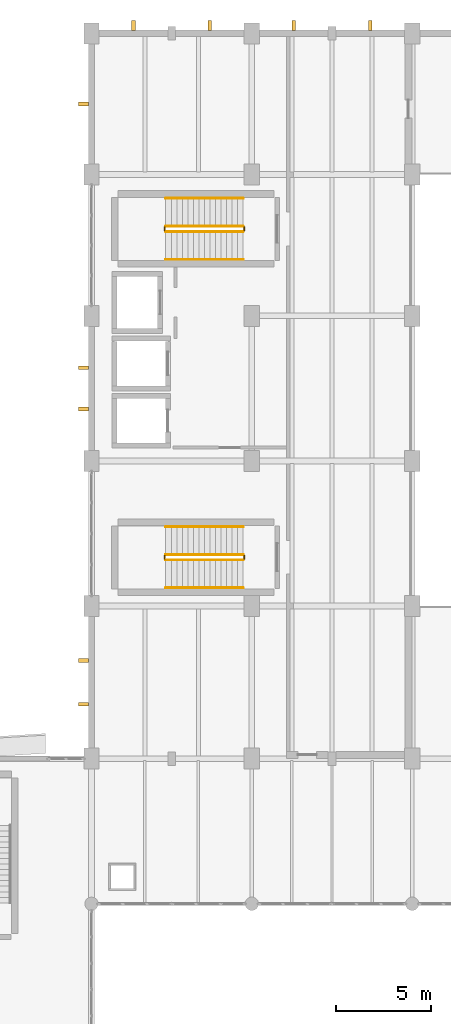
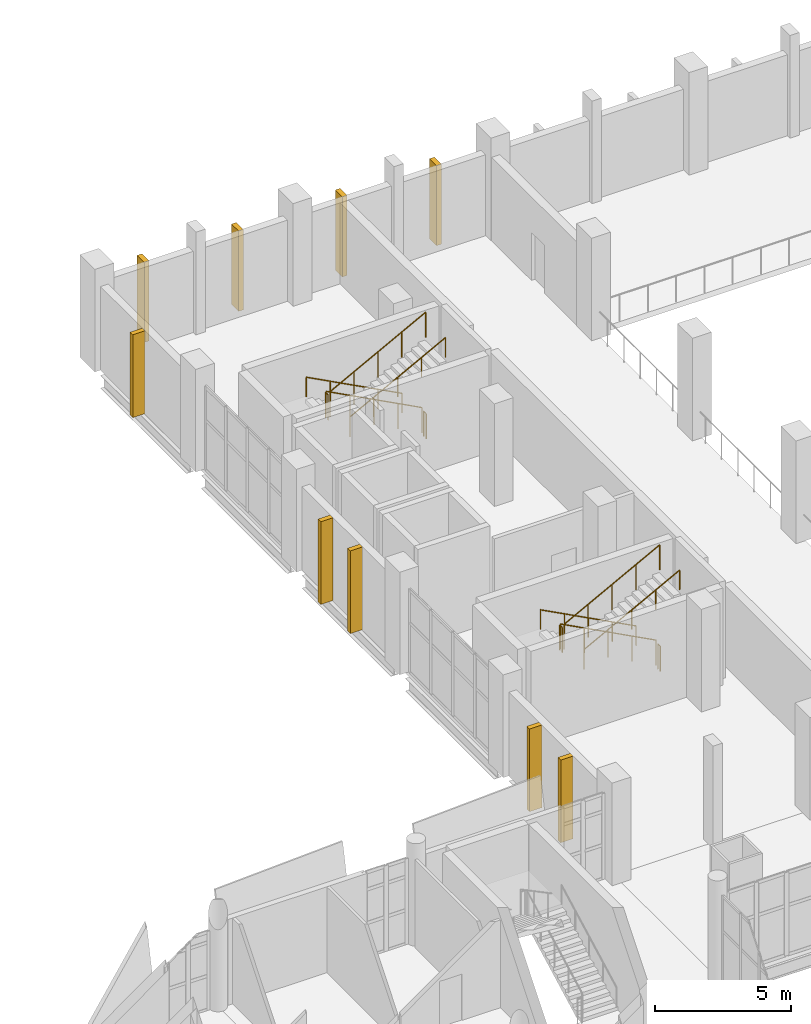
# One storey, part 129 of 136: 12 railings, 9 shading devices.
"""IFC4 building model written with IfcOpenShell, lengths in metres."""

from ifc_helpers import new_model, si_unit, direction, frame, origin, origin_2d, place, context, subcontext, project, spatial, rectangle, circle, extrude, material, layer, layer_set, type_object, element, save


model = new_model("IFC4")

# Units and contexts
model_context = context("Model", 3, precision=1e-05, world=origin(), true_north=direction((0.0, 1.0)))
body_context = subcontext(model_context, "Body", "Model", "MODEL_VIEW")
ifc_project = project(units=[si_unit("LENGTHUNIT", "METRE"), si_unit("AREAUNIT", "SQUARE_METRE"), si_unit("VOLUMEUNIT", "CUBIC_METRE"), si_unit("PLANEANGLEUNIT", "RADIAN"), si_unit("MASSUNIT", "GRAM", prefix="KILO")], contexts=[model_context])

# Site, building, storey
site_placement = place(None, origin())
site = spatial("IfcSite", under=ifc_project, at=site_placement, CompositionType="ELEMENT")
building_placement = place(site_placement, origin())
building = spatial("IfcBuilding", under=site, at=building_placement, Name="Shengluoqiao Park Theatre", CompositionType="ELEMENT")
storey_placement = place(building_placement, frame((0.0, 0.0, 10.0)))
storey = spatial("IfcBuildingStorey", under=building, at=storey_placement, Name="L02", CompositionType="ELEMENT", Elevation=10.0)

# Shading devices
ifc_material_1 = material(Name="Concrete C45", Category="concrete")
ifc_layer = layer(ifc_material_1, 0.199951171875, Name="Concrete C45")
ifc_layer_set = layer_set([ifc_layer], Name="Concrete C45")
shading_device_type = type_object("IfcShadingDeviceType", Name="ENV-FIN-520x200", PredefinedType="USERDEFINED", material=ifc_layer_set)
for number, where, z_axis, x_axis, name in (
    (1, (46.60009765625, 114.409912109375, 0.02001953125), (0.0, 0.0, 1.0), (0.0, 1.0, 0.0), "L02 Vertical Concrete Acoustic Rib 0030"),
    (2, (50.60009765625, 114.409912109375, 0.02001953125), (0.0, 0.0, 1.0), (0.0, 1.0, 0.0), "L02 Vertical Concrete Acoustic Rib 0031"),
):
    element("IfcShadingDevice", number, at=place(storey_placement, frame(where, z_axis=z_axis, x_axis=x_axis)), inside=storey, type_object=shading_device_type, Name=name, ObjectType="FIN", PredefinedType="USERDEFINED", context=body_context, shape_type="SweptSolid", body=[
        extrude(rectangle(XDim=0.52001953125, YDim=0.199951171875, at=origin_2d()), origin(), (0.0, 0.0, 1.0), 3.597900390625),
    ])
for number, where, z_axis, x_axis, name in (
    (3, (55.0, 114.409912109375, 0.02001953125), (0.0, 0.0, 1.0), (0.0, 1.0, 0.0), "L02 Vertical Concrete Acoustic Rib 0032"),
    (4, (59.0, 114.409912109375, 0.02001953125), (0.0, 0.0, 1.0), (0.0, 1.0, 0.0), "L02 Vertical Concrete Acoustic Rib 0033"),
):
    element("IfcShadingDevice", number, at=place(storey_placement, frame(where, z_axis=z_axis, x_axis=x_axis)), inside=storey, type_object=shading_device_type, Name=name, ObjectType="FIN", PredefinedType="USERDEFINED", context=body_context, shape_type="SweptSolid", body=[
        extrude(rectangle(XDim=0.52001953125, YDim=0.199951171875, at=origin_2d()), origin(), (0.0, 0.0, 1.0), 3.587890625),
    ])
for number, where, z_axis, x_axis, name in (
    (5, (43.989990234375, 78.851318359375, 0.02001953125), (0.0, 0.0, 1.0), (-1.0, 0.0, 0.0), "L02 Vertical Concrete Acoustic Rib 0040"),
    (6, (43.989990234375, 81.148681640625, 0.02001953125), (0.0, 0.0, 1.0), (-1.0, 0.0, 0.0), "L02 Vertical Concrete Acoustic Rib 0041"),
    (7, (43.989990234375, 94.318115234375, 0.02001953125), (0.0, 0.0, 1.0), (-1.0, 0.0, 0.0), "L02 Vertical Concrete Acoustic Rib 0042"),
    (8, (43.989990234375, 96.48193359375, 0.02001953125), (0.0, 0.0, 1.0), (-1.0, 0.0, 0.0), "L02 Vertical Concrete Acoustic Rib 0043"),
    (9, (43.989990234375, 110.300048828125, 0.02001953125), (0.0, 0.0, 1.0), (-1.0, 0.0, 0.0), "L02 Vertical Concrete Acoustic Rib 0044"),
):
    element("IfcShadingDevice", number, at=place(storey_placement, frame(where, z_axis=z_axis, x_axis=x_axis)), inside=storey, type_object=shading_device_type, Name=name, ObjectType="FIN", PredefinedType="USERDEFINED", context=body_context, shape_type="SweptSolid", body=[
        extrude(rectangle(XDim=0.52001953125, YDim=0.199951171875, at=origin_2d()), origin(), (0.0, 0.0, 1.0), 3.7099609375),
    ])

# Railings
ifc_material_2 = material(Name="Painted steel", Category="steel")
railing_type_1 = type_object("IfcRailingType", Name="INT-RL-STGRD", PredefinedType="GUARDRAIL", material=ifc_material_2)
railing_1_placement = place(storey_placement, frame((52.35009765625, 86.68994140625, 0.1533203125)))
element("IfcRailing", 10, at=railing_1_placement, inside=storey, type_object=railing_type_1, Name="L02 ST-02 stair guard 1", PredefinedType="GUARDRAIL", context=body_context, shape_type="SweptSolid", body=[
    extrude(circle(Radius=0.02392578125, at=origin_2d()), frame((0.0, 0.0, 1.1259765625), z_axis=(-0.884032182968, 0.0, 0.46742603637), x_axis=(0.0, -1.0, 0.0)), (0.0, 0.0, 1.0), 4.5927734375),
    extrude(circle(Radius=0.02099609375, at=origin_2d()), origin(), (0.0, 0.0, 1.0), 1.101806640625),
    extrude(circle(Radius=0.02099609375, at=origin_2d()), frame((-1.01513671875, 0.0, 0.53662109375)), (0.0, 0.0, 1.0), 1.101806640625),
    extrude(circle(Radius=0.02099609375, at=origin_2d()), frame((-2.030029296875, 0.0, 1.0732421875)), (0.0, 0.0, 1.0), 1.101806640625),
    extrude(circle(Radius=0.02099609375, at=origin_2d()), frame((-3.044921875, 0.0, 1.610107421875)), (0.0, 0.0, 1.0), 1.101806640625),
    extrude(circle(Radius=0.02099609375, at=origin_2d()), frame((-4.06005859375, 0.0, 2.146728515625)), (0.0, 0.0, 1.0), 1.101806640625),
])
railing_2_placement = place(storey_placement, frame((48.239990234375, 86.639892578125, 2.300048828125)))
element("IfcRailing", 11, at=railing_2_placement, inside=storey, type_object=railing_type_1, Name="L02 ST-02 stair guard 2", PredefinedType="GUARDRAIL", context=body_context, shape_type="SweptSolid", body=[
    extrude(circle(Radius=0.02392578125, at=origin_2d()), frame((0.0, 0.0, 1.1259765625), z_axis=(0.0, -1.0, 0.0), x_axis=(1.0, 0.0, 0.0)), (0.0, 0.0, 1.0), 0.179931640625),
    extrude(circle(Radius=0.02099609375, at=origin_2d()), origin(), (0.0, 0.0, 1.0), 1.101806640625),
    extrude(circle(Radius=0.02099609375, at=origin_2d()), frame((0.0, -0.179931640625, 0.0)), (0.0, 0.0, 1.0), 1.101806640625),
])
railing_3_placement = place(storey_placement, frame((48.2900390625, 86.409912109375, 2.453369140625)))
element("IfcRailing", 12, at=railing_3_placement, inside=storey, type_object=railing_type_1, Name="L02 ST-02 stair guard 3", PredefinedType="GUARDRAIL", context=body_context, shape_type="SweptSolid", body=[
    extrude(circle(Radius=0.02392578125, at=origin_2d()), frame((0.0, 0.0, 1.1259765625), z_axis=(0.884032182968, 0.0, 0.46742603637), x_axis=(0.0, 1.0, 0.0)), (0.0, 0.0, 1.0), 4.5927734375),
    extrude(circle(Radius=0.02099609375, at=origin_2d()), origin(), (0.0, 0.0, 1.0), 1.101806640625),
    extrude(circle(Radius=0.02099609375, at=origin_2d()), frame((1.01513671875, 0.0, 0.53662109375)), (0.0, 0.0, 1.0), 1.101806640625),
    extrude(circle(Radius=0.02099609375, at=origin_2d()), frame((2.030029296875, 0.0, 1.0732421875)), (0.0, 0.0, 1.0), 1.101806640625),
    extrude(circle(Radius=0.02099609375, at=origin_2d()), frame((3.044921875, 0.0, 1.610107421875)), (0.0, 0.0, 1.0), 1.101806640625),
    extrude(circle(Radius=0.02099609375, at=origin_2d()), frame((4.06005859375, 0.0, 2.146728515625)), (0.0, 0.0, 1.0), 1.101806640625),
])
railing_4_placement = place(storey_placement, frame((52.39990234375, 86.639892578125, 0.0)))
element("IfcRailing", 13, at=railing_4_placement, inside=storey, type_object=railing_type_1, Name="L02 ST-02 stair guard 4", PredefinedType="GUARDRAIL", context=body_context, shape_type="SweptSolid", body=[
    extrude(circle(Radius=0.02392578125, at=origin_2d()), frame((0.0, 0.0, 1.1259765625), z_axis=(0.0, -1.0, 0.0), x_axis=(1.0, 0.0, 0.0)), (0.0, 0.0, 1.0), 0.179931640625),
    extrude(circle(Radius=0.02099609375, at=origin_2d()), origin(), (0.0, 0.0, 1.0), 1.101806640625),
    extrude(circle(Radius=0.02099609375, at=origin_2d()), frame((0.0, -0.179931640625, 0.0)), (0.0, 0.0, 1.0), 1.101806640625),
])
railing_5_placement = place(storey_placement, frame((52.35009765625, 103.889892578125, 0.1533203125)))
element("IfcRailing", 14, at=railing_5_placement, inside=storey, type_object=railing_type_1, Name="L02 ST-03 stair guard 1", PredefinedType="GUARDRAIL", context=body_context, shape_type="SweptSolid", body=[
    extrude(circle(Radius=0.02392578125, at=origin_2d()), frame((0.0, 0.0, 1.1259765625), z_axis=(-0.884032182968, 0.0, 0.46742603637), x_axis=(0.0, -1.0, 0.0)), (0.0, 0.0, 1.0), 4.5927734375),
    extrude(circle(Radius=0.02099609375, at=origin_2d()), origin(), (0.0, 0.0, 1.0), 1.101806640625),
    extrude(circle(Radius=0.02099609375, at=origin_2d()), frame((-1.01513671875, 0.0, 0.53662109375)), (0.0, 0.0, 1.0), 1.101806640625),
    extrude(circle(Radius=0.02099609375, at=origin_2d()), frame((-2.030029296875, 0.0, 1.0732421875)), (0.0, 0.0, 1.0), 1.101806640625),
    extrude(circle(Radius=0.02099609375, at=origin_2d()), frame((-3.044921875, 0.0, 1.610107421875)), (0.0, 0.0, 1.0), 1.101806640625),
    extrude(circle(Radius=0.02099609375, at=origin_2d()), frame((-4.06005859375, 0.0, 2.146728515625)), (0.0, 0.0, 1.0), 1.101806640625),
])
railing_6_placement = place(storey_placement, frame((48.239990234375, 103.840087890625, 2.300048828125)))
element("IfcRailing", 15, at=railing_6_placement, inside=storey, type_object=railing_type_1, Name="L02 ST-03 stair guard 2", PredefinedType="GUARDRAIL", context=body_context, shape_type="SweptSolid", body=[
    extrude(circle(Radius=0.02392578125, at=origin_2d()), frame((0.0, 0.0, 1.1259765625), z_axis=(0.0, -1.0, 0.0), x_axis=(1.0, 0.0, 0.0)), (0.0, 0.0, 1.0), 0.18017578125),
    extrude(circle(Radius=0.02099609375, at=origin_2d()), origin(), (0.0, 0.0, 1.0), 1.101806640625),
    extrude(circle(Radius=0.02099609375, at=origin_2d()), frame((0.0, -0.18017578125, 0.0)), (0.0, 0.0, 1.0), 1.101806640625),
])
railing_7_placement = place(storey_placement, frame((48.2900390625, 103.610107421875, 2.453369140625)))
element("IfcRailing", 16, at=railing_7_placement, inside=storey, type_object=railing_type_1, Name="L02 ST-03 stair guard 3", PredefinedType="GUARDRAIL", context=body_context, shape_type="SweptSolid", body=[
    extrude(circle(Radius=0.02392578125, at=origin_2d()), frame((0.0, 0.0, 1.1259765625), z_axis=(0.884032182968, 0.0, 0.46742603637), x_axis=(0.0, 1.0, 0.0)), (0.0, 0.0, 1.0), 4.5927734375),
    extrude(circle(Radius=0.02099609375, at=origin_2d()), origin(), (0.0, 0.0, 1.0), 1.101806640625),
    extrude(circle(Radius=0.02099609375, at=origin_2d()), frame((1.01513671875, 0.0, 0.53662109375)), (0.0, 0.0, 1.0), 1.101806640625),
    extrude(circle(Radius=0.02099609375, at=origin_2d()), frame((2.030029296875, 0.0, 1.0732421875)), (0.0, 0.0, 1.0), 1.101806640625),
    extrude(circle(Radius=0.02099609375, at=origin_2d()), frame((3.044921875, 0.0, 1.610107421875)), (0.0, 0.0, 1.0), 1.101806640625),
    extrude(circle(Radius=0.02099609375, at=origin_2d()), frame((4.06005859375, 0.0, 2.146728515625)), (0.0, 0.0, 1.0), 1.101806640625),
])
railing_8_placement = place(storey_placement, frame((52.39990234375, 103.840087890625, 0.0)))
element("IfcRailing", 17, at=railing_8_placement, inside=storey, type_object=railing_type_1, Name="L02 ST-03 stair guard 4", PredefinedType="GUARDRAIL", context=body_context, shape_type="SweptSolid", body=[
    extrude(circle(Radius=0.02392578125, at=origin_2d()), frame((0.0, 0.0, 1.1259765625), z_axis=(0.0, -1.0, 0.0), x_axis=(1.0, 0.0, 0.0)), (0.0, 0.0, 1.0), 0.18017578125),
    extrude(circle(Radius=0.02099609375, at=origin_2d()), origin(), (0.0, 0.0, 1.0), 1.101806640625),
    extrude(circle(Radius=0.02099609375, at=origin_2d()), frame((0.0, -0.18017578125, 0.0)), (0.0, 0.0, 1.0), 1.101806640625),
])
ifc_material_3 = material(Name="Stainless steel 304", Category="steel")
railing_type_2 = type_object("IfcRailingType", Name="INT-RL-STHR", PredefinedType="HANDRAIL", material=ifc_material_3)
railing_9_placement = place(storey_placement, frame((52.35009765625, 88.14990234375, 0.1533203125)))
element("IfcRailing", 18, at=railing_9_placement, inside=storey, type_object=railing_type_2, Name="L02 ST-02 stair handrail 1", PredefinedType="HANDRAIL", context=body_context, shape_type="SweptSolid", body=[
    extrude(circle(Radius=0.02392578125, at=origin_2d()), frame((0.0, 0.0, 0.8759765625), z_axis=(-0.884032182968, 0.0, 0.46742603637), x_axis=(0.0, -1.0, 0.0)), (0.0, 0.0, 1.0), 4.5927734375),
    extrude(circle(Radius=0.02099609375, at=origin_2d()), origin(), (0.0, 0.0, 1.0), 0.851806640625),
    extrude(circle(Radius=0.02099609375, at=origin_2d()), frame((-1.01513671875, 0.0, 0.53662109375)), (0.0, 0.0, 1.0), 0.851806640625),
    extrude(circle(Radius=0.02099609375, at=origin_2d()), frame((-2.030029296875, 0.0, 1.0732421875)), (0.0, 0.0, 1.0), 0.851806640625),
    extrude(circle(Radius=0.02099609375, at=origin_2d()), frame((-3.044921875, 0.0, 1.610107421875)), (0.0, 0.0, 1.0), 0.851806640625),
    extrude(circle(Radius=0.02099609375, at=origin_2d()), frame((-4.06005859375, 0.0, 2.146728515625)), (0.0, 0.0, 1.0), 0.851806640625),
])
railing_10_placement = place(storey_placement, frame((48.2900390625, 84.949951171875, 2.453369140625)))
element("IfcRailing", 19, at=railing_10_placement, inside=storey, type_object=railing_type_2, Name="L02 ST-02 stair handrail 2", PredefinedType="HANDRAIL", context=body_context, shape_type="SweptSolid", body=[
    extrude(circle(Radius=0.02392578125, at=origin_2d()), frame((0.0, 0.0, 0.8759765625), z_axis=(0.884032182968, 0.0, 0.46742603637), x_axis=(0.0, 1.0, 0.0)), (0.0, 0.0, 1.0), 4.5927734375),
    extrude(circle(Radius=0.02099609375, at=origin_2d()), origin(), (0.0, 0.0, 1.0), 0.851806640625),
    extrude(circle(Radius=0.02099609375, at=origin_2d()), frame((1.01513671875, 0.0, 0.53662109375)), (0.0, 0.0, 1.0), 0.851806640625),
    extrude(circle(Radius=0.02099609375, at=origin_2d()), frame((2.030029296875, 0.0, 1.0732421875)), (0.0, 0.0, 1.0), 0.851806640625),
    extrude(circle(Radius=0.02099609375, at=origin_2d()), frame((3.044921875, 0.0, 1.610107421875)), (0.0, 0.0, 1.0), 0.851806640625),
    extrude(circle(Radius=0.02099609375, at=origin_2d()), frame((4.06005859375, 0.0, 2.146728515625)), (0.0, 0.0, 1.0), 0.851806640625),
])
railing_11_placement = place(storey_placement, frame((52.35009765625, 105.35009765625, 0.1533203125)))
element("IfcRailing", 20, at=railing_11_placement, inside=storey, type_object=railing_type_2, Name="L02 ST-03 stair handrail 1", PredefinedType="HANDRAIL", context=body_context, shape_type="SweptSolid", body=[
    extrude(circle(Radius=0.02392578125, at=origin_2d()), frame((0.0, 0.0, 0.8759765625), z_axis=(-0.884032182968, 0.0, 0.46742603637), x_axis=(0.0, -1.0, 0.0)), (0.0, 0.0, 1.0), 4.5927734375),
    extrude(circle(Radius=0.02099609375, at=origin_2d()), origin(), (0.0, 0.0, 1.0), 0.851806640625),
    extrude(circle(Radius=0.02099609375, at=origin_2d()), frame((-1.01513671875, 0.0, 0.53662109375)), (0.0, 0.0, 1.0), 0.851806640625),
    extrude(circle(Radius=0.02099609375, at=origin_2d()), frame((-2.030029296875, 0.0, 1.0732421875)), (0.0, 0.0, 1.0), 0.851806640625),
    extrude(circle(Radius=0.02099609375, at=origin_2d()), frame((-3.044921875, 0.0, 1.610107421875)), (0.0, 0.0, 1.0), 0.851806640625),
    extrude(circle(Radius=0.02099609375, at=origin_2d()), frame((-4.06005859375, 0.0, 2.146728515625)), (0.0, 0.0, 1.0), 0.851806640625),
])
railing_12_placement = place(storey_placement, frame((48.2900390625, 102.14990234375, 2.453369140625)))
element("IfcRailing", 21, at=railing_12_placement, inside=storey, type_object=railing_type_2, Name="L02 ST-03 stair handrail 2", PredefinedType="HANDRAIL", context=body_context, shape_type="SweptSolid", body=[
    extrude(circle(Radius=0.02392578125, at=origin_2d()), frame((0.0, 0.0, 0.8759765625), z_axis=(0.884032182968, 0.0, 0.46742603637), x_axis=(0.0, 1.0, 0.0)), (0.0, 0.0, 1.0), 4.5927734375),
    extrude(circle(Radius=0.02099609375, at=origin_2d()), origin(), (0.0, 0.0, 1.0), 0.851806640625),
    extrude(circle(Radius=0.02099609375, at=origin_2d()), frame((1.01513671875, 0.0, 0.53662109375)), (0.0, 0.0, 1.0), 0.851806640625),
    extrude(circle(Radius=0.02099609375, at=origin_2d()), frame((2.030029296875, 0.0, 1.0732421875)), (0.0, 0.0, 1.0), 0.851806640625),
    extrude(circle(Radius=0.02099609375, at=origin_2d()), frame((3.044921875, 0.0, 1.610107421875)), (0.0, 0.0, 1.0), 0.851806640625),
    extrude(circle(Radius=0.02099609375, at=origin_2d()), frame((4.06005859375, 0.0, 2.146728515625)), (0.0, 0.0, 1.0), 0.851806640625),
])

save(model, "model.ifc")
